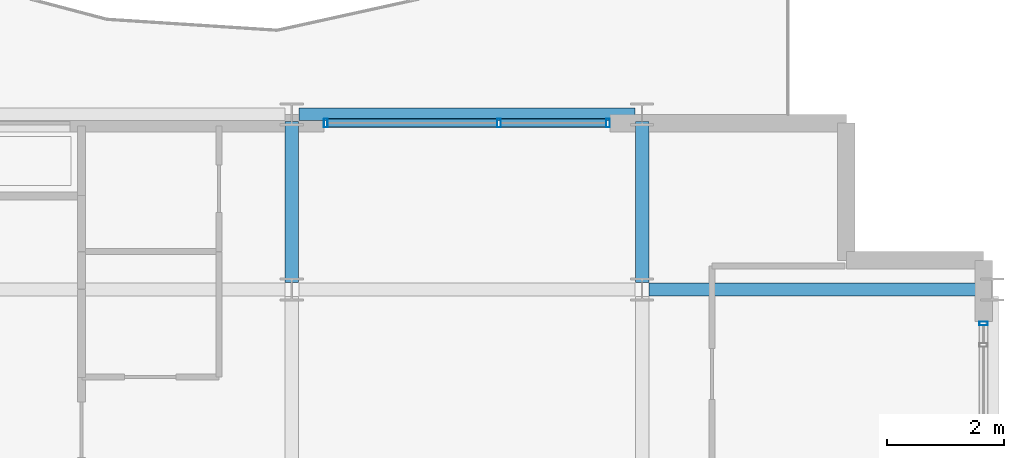
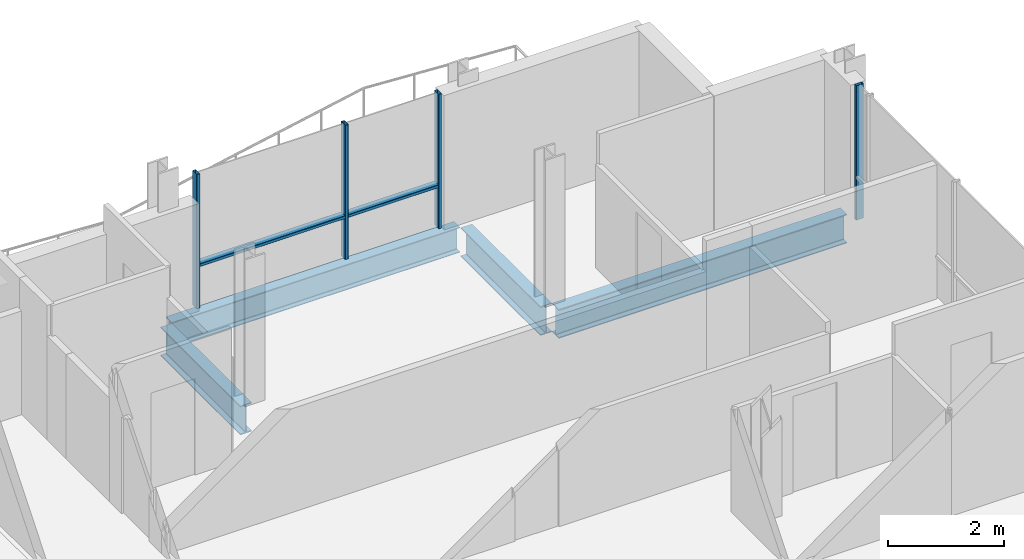
# One storey, part 23 of 36: 6 members, 4 beams, 2 elements without a shape of their own.
"""IFC4 building model written with IfcOpenShell, lengths in metres."""

from ifc_helpers import new_model, si_unit, direction, frame, origin, origin_2d, place, context, subcontext, project, spatial, hollow_rectangle, i_section, extrude, material, layer, layer_set, material_profile, profile_set, type_object, element, aggregate, save


model = new_model("IFC4")

# Units and contexts
model_context = context("Model", 3, precision=1e-05, world=origin(), true_north=direction((0.0, 1.0)))
body_context = subcontext(model_context, "Body", "Model", "MODEL_VIEW")
ifc_project = project(units=[si_unit("LENGTHUNIT", "METRE"), si_unit("AREAUNIT", "SQUARE_METRE"), si_unit("VOLUMEUNIT", "CUBIC_METRE"), si_unit("PLANEANGLEUNIT", "RADIAN"), si_unit("MASSUNIT", "GRAM", prefix="KILO")], contexts=[model_context])

# Site, building, storey
site_placement = place(None, origin())
site = spatial("IfcSite", under=ifc_project, at=site_placement, CompositionType="ELEMENT")
building_placement = place(site_placement, origin())
building = spatial("IfcBuilding", under=site, at=building_placement, Name="Brevholm Reach", CompositionType="ELEMENT")
storey_placement = place(building_placement, frame((0.0, 0.0, 175.89990234375)))
storey = spatial("IfcBuildingStorey", under=building, at=storey_placement, Name="L53", CompositionType="ELEMENT", Elevation=175.89990234375)

# Beams
ifc_material_1 = material(Name="Structural Steel S355J2", Category="steel")
ifc_material_profile_1 = material_profile(ifc_material_1, i_section(OverallWidth=0.209228515625, OverallDepth=0.533203125, WebThickness=0.010009765625, FlangeThickness=0.015625, FilletRadius=0.0126953125, at=origin_2d()), Name="UKB 533x210x92")
ifc_profile_set_1 = profile_set([ifc_material_profile_1], Name="Structural Steel S355J2")
beam_type_1 = type_object("IfcBeamType", Name="BM-SP533", PredefinedType="SPANDREL", material=ifc_profile_set_1)
beam_1_placement = place(storey_placement, frame((48.1201171875, 26.5, -0.4765625), z_axis=(1.0, 0.0, 0.0), x_axis=(0.0, 1.0, 0.0)))
element("IfcBeam", 1, at=beam_1_placement, inside=storey, type_object=beam_type_1, Name="L53 SP-02 Framing Beam", PredefinedType="SPANDREL", context=body_context, shape_type="SweptSolid", body=[
    extrude(i_section(OverallWidth=0.209228515625, OverallDepth=0.533203125, WebThickness=0.010009765625, FlangeThickness=0.015625, FilletRadius=0.0126953125, at=origin_2d()), origin(), (0.0, 0.0, 1.0), 5.759765625),
])
ifc_material_2 = material(Name="Structural Steel S355J2", Category="steel")
ifc_material_profile_2 = material_profile(ifc_material_2, i_section(OverallWidth=0.22900390625, OverallDepth=0.6123046875, WebThickness=0.011962890625, FlangeThickness=0.01953125, FilletRadius=0.0126953125, at=origin_2d()), Name="UKB 610x229x125")
ifc_profile_set_2 = profile_set([ifc_material_profile_2], Name="Structural Steel S355J2")
beam_type_2 = type_object("IfcBeamType", Name="BM-SP610", PredefinedType="SPANDREL", material=ifc_profile_set_2)
beam_2_placement = place(storey_placement, frame((54.1201171875, 23.5, -0.51611328125), z_axis=(1.0, 0.0, 0.0), x_axis=(0.0, 1.0, 0.0)))
element("IfcBeam", 2, at=beam_2_placement, inside=storey, type_object=beam_type_2, Name="L53 SP-01 Framing Beam", PredefinedType="SPANDREL", context=body_context, shape_type="SweptSolid", body=[
    extrude(i_section(OverallWidth=0.22900390625, OverallDepth=0.6123046875, WebThickness=0.011962890625, FlangeThickness=0.01953125, FilletRadius=0.0126953125, at=origin_2d()), origin(), (0.0, 0.0, 1.0), 5.759765625),
])
for number, where, z_axis, x_axis, name in (
    (3, (48.0, 23.6201171875, -0.51611328125), (0.0, 1.0, 0.0), (-1.0, 0.0, 0.0), "L53 SP-01 Framing Beam"),
    (4, (54.0, 23.6201171875, -0.51611328125), (0.0, 1.0, 0.0), (-1.0, 0.0, 0.0), "L53 SP-01 Framing Beam"),
):
    element("IfcBeam", number, at=place(storey_placement, frame(where, z_axis=z_axis, x_axis=x_axis)), inside=storey, type_object=beam_type_2, Name=name, PredefinedType="SPANDREL", context=body_context, shape_type="SweptSolid", body=[
        extrude(i_section(OverallWidth=0.22900390625, OverallDepth=0.6123046875, WebThickness=0.011962890625, FlangeThickness=0.01953125, FilletRadius=0.0126953125, at=origin_2d()), origin(), (0.0, 0.0, 1.0), 2.759765625),
    ])

# Curtain wall, member
ifc_material_3 = material(Name="Dark Anodised Aluminium 6063-T6 and Solar-Control Glass", Category="aluminium")
ifc_layer = layer(ifc_material_3, 0.14990234375)
ifc_layer_set = layer_set([ifc_layer], Name="Dark Anodised Aluminium 6063-T6 and Solar-Control Glass")
curtain_wall_type = type_object("IfcCurtainWallType", Name="CW-01", PredefinedType="NOTDEFINED", material=ifc_layer_set)
curtain_wall_1_placement = place(storey_placement, origin())
curtain_wall_1 = element("IfcCurtainWall", 5, at=curtain_wall_1_placement, inside=storey, type_object=curtain_wall_type, Name="L53 Curtain Wall CW-01", PredefinedType="NOTDEFINED")
ifc_material_4 = material(Name="Dark Anodised Aluminium 6063-T6", Category="aluminium")
ifc_material_profile_3 = material_profile(ifc_material_4, hollow_rectangle(XDim=0.06494140625, YDim=0.14990234375, WallThickness=0.0048828125, InnerFilletRadius=0.0048828125, OuterFilletRadius=0.010009765625, at=origin_2d()), Name="RHS 150x65x5")
ifc_profile_set_3 = profile_set([ifc_material_profile_3], Name="Dark Anodised Aluminium 6063-T6")
member_type_1 = type_object("IfcMemberType", Name="CWM-150", PredefinedType="MULLION", material=ifc_profile_set_3)
member_1_placement = place(storey_placement, frame((59.85009765625, 22.91748046875, 0.0), z_axis=(0.0, 0.0, 1.0), x_axis=(0.0, 1.0, 0.0)))
member_1 = element("IfcMember", 6, at=member_1_placement, type_object=member_type_1, Name="CM-150 Mullion 6", PredefinedType="MULLION", context=body_context, shape_type="SweptSolid", body=[
    extrude(hollow_rectangle(XDim=0.06494140625, YDim=0.14990234375, WallThickness=0.0048828125, InnerFilletRadius=0.0048828125, OuterFilletRadius=0.010009765625, at=origin_2d()), origin(), (0.0, 0.0, 1.0), 2.840087890625),
])
aggregate(curtain_wall_1, [member_1])

# Curtain wall, members
curtain_wall_2_placement = place(storey_placement, origin())
curtain_wall_2 = element("IfcCurtainWall", 7, at=curtain_wall_2_placement, inside=storey, type_object=curtain_wall_type, Name="L53 Curtain Wall CW-01", PredefinedType="NOTDEFINED")
member_2_placement = place(storey_placement, frame((48.58251953125, 26.35009765625, 0.0), z_axis=(0.0, 0.0, 1.0), x_axis=(1.0, 0.0, 0.0)))
member_2 = element("IfcMember", 8, at=member_2_placement, type_object=member_type_1, Name="CM-150 Mullion 1", PredefinedType="MULLION", context=body_context, shape_type="SweptSolid", body=[
    extrude(hollow_rectangle(XDim=0.06494140625, YDim=0.14990234375, WallThickness=0.0048828125, InnerFilletRadius=0.0048828125, OuterFilletRadius=0.010009765625, at=origin_2d()), origin(), (0.0, 0.0, 1.0), 2.840087890625),
])
member_3_placement = place(storey_placement, frame((51.550048828125, 26.35009765625, 0.0), z_axis=(0.0, 0.0, 1.0), x_axis=(1.0, 0.0, 0.0)))
member_3 = element("IfcMember", 9, at=member_3_placement, type_object=member_type_1, Name="CM-150 Mullion 2", PredefinedType="MULLION", context=body_context, shape_type="SweptSolid", body=[
    extrude(hollow_rectangle(XDim=0.06494140625, YDim=0.14990234375, WallThickness=0.0048828125, InnerFilletRadius=0.0048828125, OuterFilletRadius=0.010009765625, at=origin_2d()), origin(), (0.0, 0.0, 1.0), 2.840087890625),
])
member_4_placement = place(storey_placement, frame((53.41748046875, 26.35009765625, 0.0), z_axis=(0.0, 0.0, 1.0), x_axis=(1.0, 0.0, 0.0)))
member_4 = element("IfcMember", 10, at=member_4_placement, type_object=member_type_1, Name="CM-150 Mullion 3", PredefinedType="MULLION", context=body_context, shape_type="SweptSolid", body=[
    extrude(hollow_rectangle(XDim=0.06494140625, YDim=0.14990234375, WallThickness=0.0048828125, InnerFilletRadius=0.0048828125, OuterFilletRadius=0.010009765625, at=origin_2d()), origin(), (0.0, 0.0, 1.0), 2.840087890625),
])
ifc_material_5 = material(Name="Dark Anodised Aluminium 6063-T6", Category="aluminium")
ifc_material_profile_4 = material_profile(ifc_material_5, hollow_rectangle(XDim=0.06494140625, YDim=0.14990234375, WallThickness=0.0048828125, InnerFilletRadius=0.0048828125, OuterFilletRadius=0.010009765625, at=origin_2d()), Name="RHS 150x65x5")
ifc_profile_set_4 = profile_set([ifc_material_profile_4], Name="Dark Anodised Aluminium 6063-T6")
member_type_2 = type_object("IfcMemberType", Name="CWT-150", PredefinedType="NOTDEFINED", material=ifc_profile_set_4)
member_5_placement = place(storey_placement, frame((48.614990234375, 26.35009765625, 0.900146484375), z_axis=(1.0, 0.0, 0.0), x_axis=(0.0, 0.0, 1.0)))
member_5 = element("IfcMember", 11, at=member_5_placement, type_object=member_type_2, Name="CT-150 Transom 1.1", ObjectType="TRANSOM", PredefinedType="USERDEFINED", context=body_context, shape_type="SweptSolid", body=[
    extrude(hollow_rectangle(XDim=0.06494140625, YDim=0.14990234375, WallThickness=0.0048828125, InnerFilletRadius=0.0048828125, OuterFilletRadius=0.010009765625, at=origin_2d()), origin(), (0.0, 0.0, 1.0), 2.902587890625),
])
member_6_placement = place(storey_placement, frame((51.58251953125, 26.35009765625, 0.900146484375), z_axis=(1.0, 0.0, 0.0), x_axis=(0.0, 0.0, 1.0)))
member_6 = element("IfcMember", 12, at=member_6_placement, type_object=member_type_2, Name="CT-150 Transom 2.1", ObjectType="TRANSOM", PredefinedType="USERDEFINED", context=body_context, shape_type="SweptSolid", body=[
    extrude(hollow_rectangle(XDim=0.06494140625, YDim=0.14990234375, WallThickness=0.0048828125, InnerFilletRadius=0.0048828125, OuterFilletRadius=0.010009765625, at=origin_2d()), origin(), (0.0, 0.0, 1.0), 1.802490234375),
])
aggregate(curtain_wall_2, [member_2, member_3, member_4, member_5, member_6])

save(model, "model.ifc")
